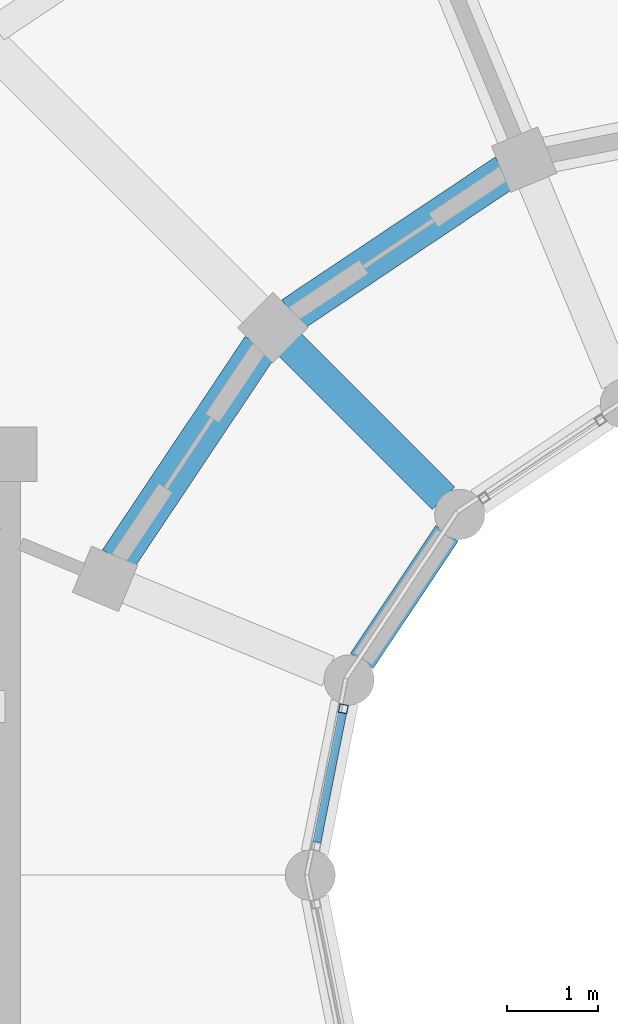
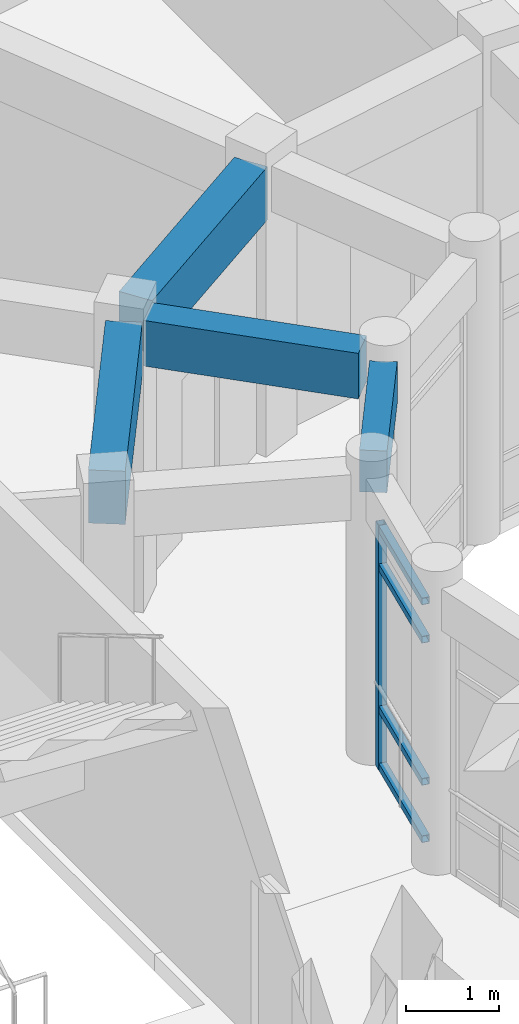
# One storey, part 31 of 112: 5 members, 4 beams, 1 element without a shape of its own.
"""IFC4 building model written with IfcOpenShell, lengths in metres."""

from ifc_helpers import new_model, si_unit, direction, frame, origin, origin_2d, place, context, subcontext, project, spatial, rectangle, hollow_rectangle, extrude, material, material_profile, profile_set, type_object, element, aggregate, save


model = new_model("IFC4")

# Units and contexts
model_context = context("Model", 3, precision=1e-05, world=origin(), true_north=direction((0.0, 1.0)))
body_context = subcontext(model_context, "Body", "Model", "MODEL_VIEW")
ifc_project = project(units=[si_unit("LENGTHUNIT", "METRE"), si_unit("AREAUNIT", "SQUARE_METRE"), si_unit("VOLUMEUNIT", "CUBIC_METRE"), si_unit("PLANEANGLEUNIT", "RADIAN"), si_unit("MASSUNIT", "GRAM", prefix="KILO")], contexts=[model_context])

# Site, building, storey
site_placement = place(None, origin())
site = spatial("IfcSite", under=ifc_project, at=site_placement, CompositionType="ELEMENT")
building_placement = place(site_placement, origin())
building = spatial("IfcBuilding", under=site, at=building_placement, Name="Celadon Cloister-Ring School", CompositionType="ELEMENT")
storey_placement = place(building_placement, frame((0.0, 0.0, 8.5)))
storey = spatial("IfcBuildingStorey", under=building, at=storey_placement, Name="L02", CompositionType="ELEMENT", Elevation=8.5)

# Beam
ifc_material_1 = material(Name="Concrete C35/45", Category="concrete")
ifc_material_profile_1 = material_profile(ifc_material_1, rectangle(XDim=0.35009765625, YDim=0.60009765625, at=origin_2d()), Name="RC350X600")
ifc_profile_set_1 = profile_set([ifc_material_profile_1], Name="Concrete C35/45")
beam_type_1 = type_object("IfcBeamType", Name="BT-02", PredefinedType="BEAM", material=ifc_profile_set_1)
beam_1_placement = place(storey_placement, frame((14.366943359375, 102.8330078125, 3.47998046875), z_axis=(0.707106781187, -0.707106781187, 0.0), x_axis=(0.707106781187, 0.707106781187, 0.0)))
element("IfcBeam", 1, at=beam_1_placement, inside=storey, type_object=beam_type_1, Name="Beam 0744", PredefinedType="BEAM", context=body_context, shape_type="SweptSolid", body=[
    extrude(rectangle(XDim=0.35009765625, YDim=0.60009765625, at=origin_2d()), origin(), (0.0, 0.0, 1.0), 2.398681640625),
])

# Curtain wall, members
ifc_material_2 = material(Name="Aluminium EN AW-6063 T6", Category="aluminium")
curtain_wall_type = type_object("IfcCurtainWallType", Name="CW-04", PredefinedType="USERDEFINED", material=ifc_material_2)
curtain_wall_placement = place(storey_placement, origin())
curtain_wall = element("IfcCurtainWall", 2, at=curtain_wall_placement, inside=storey, type_object=curtain_wall_type, Name="Curtain Wall 0108", ObjectType="CURTAIN WALL", PredefinedType="USERDEFINED")
ifc_material_3 = material(Name="Aluminium EN AW-6063 T6", Category="aluminium")
ifc_material_profile_2 = material_profile(ifc_material_3, hollow_rectangle(XDim=0.094970703125, YDim=0.094970703125, WallThickness=0.00390625, at=origin_2d()), Name="RHS95X95X4")
ifc_profile_set_2 = profile_set([ifc_material_profile_2], Name="Aluminium EN AW-6063 T6")
member_type_1 = type_object("IfcMemberType", Name="CM-02", PredefinedType="MULLION", material=ifc_profile_set_2)
member_1_placement = place(storey_placement, frame((14.962646484375, 98.826416015625, 0.0), z_axis=(0.0, 0.0, 1.0), x_axis=(0.980885435464, -0.194586131301, 0.0)))
member_1 = element("IfcMember", 3, at=member_1_placement, type_object=member_type_1, Name="CW-04 mullion 1", PredefinedType="MULLION", context=body_context, shape_type="SweptSolid", body=[
    extrude(hollow_rectangle(XDim=0.094970703125, YDim=0.094970703125, WallThickness=0.00390625, at=origin_2d()), origin(), (0.0, 0.0, 1.0), 3.221923828125),
])
ifc_material_4 = material(Name="Aluminium EN AW-6063 T6", Category="aluminium")
ifc_material_profile_3 = material_profile(ifc_material_4, hollow_rectangle(XDim=0.090087890625, YDim=0.090087890625, WallThickness=0.00390625, at=origin_2d()), Name="RHS90X90X4")
ifc_profile_set_3 = profile_set([ifc_material_profile_3], Name="Aluminium EN AW-6063 T6")
member_type_2 = type_object("IfcMemberType", Name="CTM-02", PredefinedType="USERDEFINED", material=ifc_profile_set_3)
member_2_placement = place(storey_placement, frame((14.95361328125, 98.77978515625, 0.044921875), z_axis=(-0.194587856315, -0.980885093257, 0.0), x_axis=(0.980885093257, -0.194587856315, 0.0)))
member_2 = element("IfcMember", 4, at=member_2_placement, type_object=member_type_2, Name="CW-04 transom 1.1", ObjectType="TRANSOM", PredefinedType="USERDEFINED", context=body_context, shape_type="SweptSolid", body=[
    extrude(hollow_rectangle(XDim=0.090087890625, YDim=0.090087890625, WallThickness=0.00390625, at=origin_2d()), origin(), (0.0, 0.0, 1.0), 1.444091796875),
])
member_3_placement = place(storey_placement, frame((14.95361328125, 98.77978515625, 0.800048828125), z_axis=(-0.194587856315, -0.980885093257, 0.0), x_axis=(0.980885093257, -0.194587856315, 0.0)))
member_3 = element("IfcMember", 5, at=member_3_placement, type_object=member_type_2, Name="CW-04 transom 1.2", ObjectType="TRANSOM", PredefinedType="USERDEFINED", context=body_context, shape_type="SweptSolid", body=[
    extrude(hollow_rectangle(XDim=0.090087890625, YDim=0.090087890625, WallThickness=0.00390625, at=origin_2d()), origin(), (0.0, 0.0, 1.0), 1.444091796875),
])
member_4_placement = place(storey_placement, frame((14.95361328125, 98.77978515625, 2.672119140625), z_axis=(-0.194587856315, -0.980885093257, 0.0), x_axis=(0.980885093257, -0.194587856315, 0.0)))
member_4 = element("IfcMember", 6, at=member_4_placement, type_object=member_type_2, Name="CW-04 transom 1.3", ObjectType="TRANSOM", PredefinedType="USERDEFINED", context=body_context, shape_type="SweptSolid", body=[
    extrude(hollow_rectangle(XDim=0.090087890625, YDim=0.090087890625, WallThickness=0.00390625, at=origin_2d()), origin(), (0.0, 0.0, 1.0), 1.444091796875),
])
member_5_placement = place(storey_placement, frame((14.95361328125, 98.77978515625, 3.177001953125), z_axis=(-0.194587856315, -0.980885093257, 0.0), x_axis=(0.980885093257, -0.194587856315, 0.0)))
member_5 = element("IfcMember", 7, at=member_5_placement, type_object=member_type_2, Name="CW-04 transom 1.4", ObjectType="TRANSOM", PredefinedType="USERDEFINED", context=body_context, shape_type="SweptSolid", body=[
    extrude(hollow_rectangle(XDim=0.090087890625, YDim=0.090087890625, WallThickness=0.00390625, at=origin_2d()), origin(), (0.0, 0.0, 1.0), 1.444091796875),
])
aggregate(curtain_wall, [member_1, member_2, member_3, member_4, member_5])

# Beams
ifc_material_5 = material(Name="Concrete C35/45", Category="concrete")
ifc_material_profile_4 = material_profile(ifc_material_5, rectangle(XDim=0.39990234375, YDim=0.699951171875, at=origin_2d()), Name="RC400X700")
ifc_profile_set_4 = profile_set([ifc_material_profile_4], Name="Concrete C35/45")
beam_type_2 = type_object("IfcBeamType", Name="GT-03", PredefinedType="USERDEFINED", material=ifc_profile_set_4)
beam_2_placement = place(storey_placement, frame((16.739013671875, 104.714111328125, 3.429931640625), z_axis=(-0.831315995752, -0.555800067657, 0.0), x_axis=(0.555800067657, -0.831315995752, 0.0)))
element("IfcBeam", 8, at=beam_2_placement, inside=storey, type_object=beam_type_2, Name="Beam 0776", ObjectType="GIRDER", PredefinedType="USERDEFINED", context=body_context, shape_type="SweptSolid", body=[
    extrude(rectangle(XDim=0.39990234375, YDim=0.699951171875, at=origin_2d()), origin(), (0.0, 0.0, 1.0), 2.816162109375),
])
beam_3_placement = place(storey_placement, frame((14.051025390625, 102.802001953125, 3.429931640625), z_axis=(-0.555740149771, -0.831356052442, 0.0), x_axis=(0.831356052442, -0.555740149771, 0.0)))
element("IfcBeam", 9, at=beam_3_placement, inside=storey, type_object=beam_type_2, Name="Beam 0780", ObjectType="GIRDER", PredefinedType="USERDEFINED", context=body_context, shape_type="SweptSolid", body=[
    extrude(rectangle(XDim=0.39990234375, YDim=0.699951171875, at=origin_2d()), origin(), (0.0, 0.0, 1.0), 2.81591796875),
])
ifc_material_6 = material(Name="Concrete C35/45", Category="concrete")
ifc_material_profile_5 = material_profile(ifc_material_6, rectangle(XDim=0.300048828125, YDim=0.550048828125, at=origin_2d()), Name="RC300X550")
ifc_profile_set_5 = profile_set([ifc_material_profile_5], Name="Concrete C35/45")
beam_type_3 = type_object("IfcBeamType", Name="SP-02", PredefinedType="SPANDREL", material=ifc_profile_set_5)
beam_4_placement = place(storey_placement, frame((16.10107421875, 100.751953125, 3.5048828125), z_axis=(-0.555569328961, -0.831470216374, 0.0), x_axis=(0.831470216374, -0.555569328961, 0.0)))
element("IfcBeam", 10, at=beam_4_placement, inside=storey, type_object=beam_type_3, Name="Beam 0781", PredefinedType="SPANDREL", context=body_context, shape_type="SweptSolid", body=[
    extrude(rectangle(XDim=0.300048828125, YDim=0.550048828125, at=origin_2d()), origin(), (0.0, 0.0, 1.0), 1.684814453125),
])

save(model, "model.ifc")
